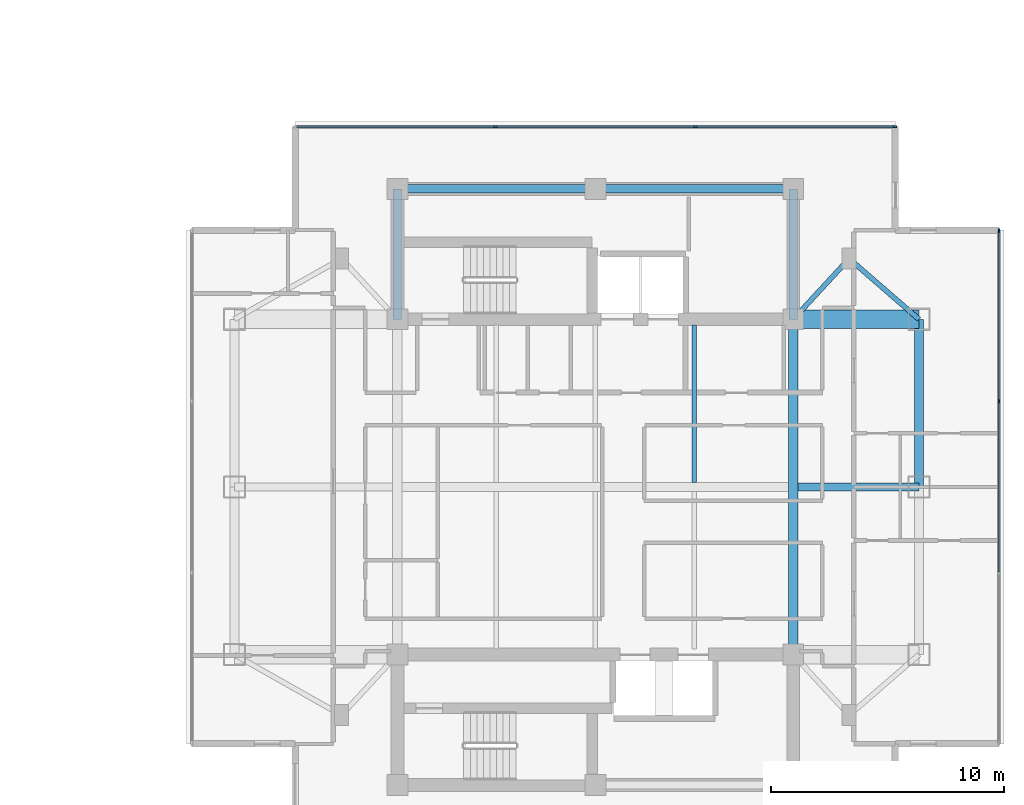
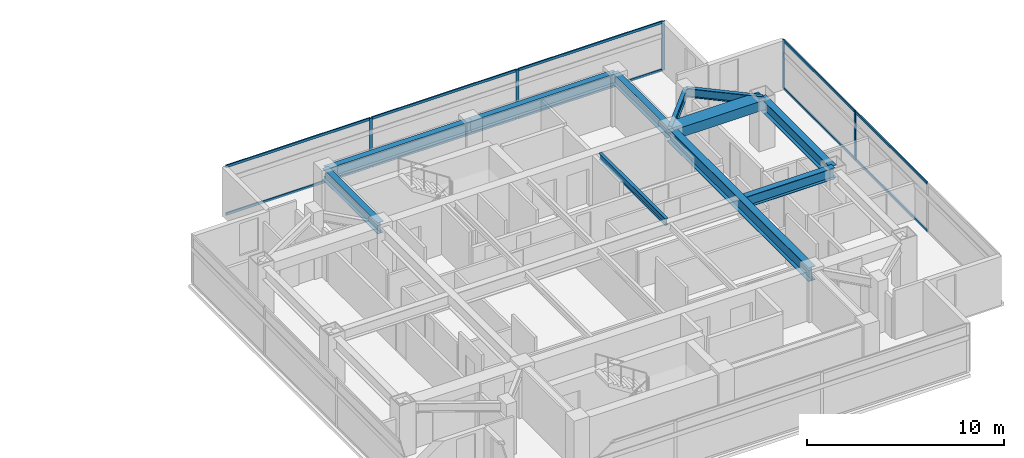
# One storey, part 10 of 24: 15 members, 11 beams, 2 elements without a shape of their own.
"""IFC4 building model written with IfcOpenShell, lengths in metres."""

from ifc_helpers import new_model, si_unit, direction, frame, origin, origin_2d, place, context, subcontext, project, spatial, rectangle, i_section, extrude, material, material_profile, profile_set, type_object, element, aggregate, save


model = new_model("IFC4")

# Units and contexts
model_context = context("Model", 3, precision=1e-05, world=origin(), true_north=direction((0.0, 1.0)))
body_context = subcontext(model_context, "Body", "Model", "MODEL_VIEW")
ifc_project = project(units=[si_unit("LENGTHUNIT", "METRE"), si_unit("AREAUNIT", "SQUARE_METRE"), si_unit("VOLUMEUNIT", "CUBIC_METRE"), si_unit("PLANEANGLEUNIT", "RADIAN"), si_unit("MASSUNIT", "GRAM", prefix="KILO")], contexts=[model_context])

# Site, building, storey
site_placement = place(None, origin())
site = spatial("IfcSite", under=ifc_project, at=site_placement, CompositionType="ELEMENT")
building_placement = place(site_placement, origin())
building = spatial("IfcBuilding", under=site, at=building_placement, Name="Mirazonda Arch Towers", CompositionType="ELEMENT")
storey_placement = place(building_placement, frame((0.0, 0.0, 196.64990234375)))
storey = spatial("IfcBuildingStorey", under=building, at=storey_placement, Name="L56", CompositionType="ELEMENT", Elevation=196.64990234375)

# Beams
ifc_material_1 = material(Name="Steel ASTM A992 Grade 50", Category="steel")
ifc_material_profile_1 = material_profile(ifc_material_1, i_section(OverallWidth=0.381103515625, OverallDepth=0.77294921875, WebThickness=0.0166015625, FlangeThickness=0.027099609375, at=origin_2d()), Name="W30X173")
ifc_profile_set_1 = profile_set([ifc_material_profile_1], Name="Steel ASTM A992 Grade 50")
beam_type_1 = type_object("IfcBeamType", Name="BM-EXT-W30X173", PredefinedType="USERDEFINED", material=ifc_profile_set_1)
beam_1_placement = place(storey_placement, frame((90.39990234375, 28.0, 2.66357421875), z_axis=(0.0, 1.0, 0.0), x_axis=(-1.0, 0.0, 0.0)))
element("IfcBeam", 1, at=beam_1_placement, inside=storey, type_object=beam_type_1, Name="L56 Floor Beam BM-T2-L56-NS-E-28", ObjectType="GIRDER", PredefinedType="USERDEFINED", context=body_context, shape_type="SweptSolid", body=[
    extrude(i_section(OverallWidth=0.381103515625, OverallDepth=0.77294921875, WebThickness=0.0166015625, FlangeThickness=0.027099609375, at=origin_2d()), origin(), (0.0, 0.0, 1.0), 7.199951171875),
])
ifc_material_profile_2 = material_profile(ifc_material_1, i_section(OverallWidth=0.180908203125, OverallDepth=0.4169921875, WebThickness=0.010986328125, FlangeThickness=0.018310546875, at=origin_2d()), Name="W16X57")
ifc_profile_set_2 = profile_set([ifc_material_profile_2], Name="Steel ASTM A992 Grade 50")
beam_type_2 = type_object("IfcBeamType", Name="BM-INT-W16X57", PredefinedType="JOIST", material=ifc_profile_set_2)
beam_2_placement = place(storey_placement, frame((80.75, 28.196044921875, 2.841552734375), z_axis=(0.0, 1.0, 0.0), x_axis=(-1.0, 0.0, 0.0)))
element("IfcBeam", 2, at=beam_2_placement, inside=storey, type_object=beam_type_2, Name="L56 Floor Beam BM-T2-L56-J-807-28", PredefinedType="JOIST", context=body_context, shape_type="SweptSolid", body=[
    extrude(i_section(OverallWidth=0.180908203125, OverallDepth=0.4169921875, WebThickness=0.010986328125, FlangeThickness=0.018310546875, at=origin_2d()), origin(), (0.0, 0.0, 1.0), 6.763916015625),
])
ifc_material_profile_3 = material_profile(ifc_material_1, i_section(OverallWidth=0.214111328125, OverallDepth=0.549072265625, WebThickness=0.0146484375, FlangeThickness=0.023681640625, at=origin_2d()), Name="W21X93")
ifc_profile_set_3 = profile_set([ifc_material_profile_3], Name="Steel ASTM A992 Grade 50")
beam_type_3 = type_object("IfcBeamType", Name="BM-INT-W21X93", PredefinedType="BEAM", material=ifc_profile_set_3)
beam_3_placement = place(storey_placement, frame((87.39990234375, 37.800048828125, 2.775634765625), z_axis=(-0.678251444854, -0.734829897019, 0.0), x_axis=(0.734829897019, -0.678251444854, 0.0)))
element("IfcBeam", 3, at=beam_3_placement, inside=storey, type_object=beam_type_3, Name="L56 Floor Beam BM-T2-L56-PL-NE1", PredefinedType="BEAM", context=body_context, shape_type="SweptSolid", body=[
    extrude(i_section(OverallWidth=0.214111328125, OverallDepth=0.549072265625, WebThickness=0.0146484375, FlangeThickness=0.023681640625, at=origin_2d()), origin(), (0.0, 0.0, 1.0), 3.538330078125),
])
beam_4_placement = place(storey_placement, frame((87.39990234375, 37.800048828125, 2.775634765625), z_axis=(0.755676908098, -0.654944585876, 0.0), x_axis=(0.654944585876, 0.755676908098, 0.0)))
element("IfcBeam", 4, at=beam_4_placement, inside=storey, type_object=beam_type_3, Name="L56 Floor Beam BM-T2-L56-PL-NE2", PredefinedType="BEAM", context=body_context, shape_type="SweptSolid", body=[
    extrude(i_section(OverallWidth=0.214111328125, OverallDepth=0.549072265625, WebThickness=0.0146484375, FlangeThickness=0.023681640625, at=origin_2d()), origin(), (0.0, 0.0, 1.0), 3.969970703125),
])
ifc_material_profile_4 = material_profile(ifc_material_1, i_section(OverallWidth=0.35498046875, OverallDepth=0.696044921875, WebThickness=0.015380859375, FlangeThickness=0.02490234375, at=origin_2d()), Name="W27X146")
ifc_profile_set_4 = profile_set([ifc_material_profile_4], Name="Steel ASTM A992 Grade 50")
beam_type_4 = type_object("IfcBeamType", Name="BM-INT-W27X146", PredefinedType="BEAM", material=ifc_profile_set_4)
for number, where, z_axis, x_axis, name in (
    (5, (68.0, 40.800048828125, 2.7021484375), (1.0, 0.0, 0.0), (0.0, 1.0, 0.0), "L56 Floor Beam BM-T2-L56-CN1"),
    (6, (76.5, 40.800048828125, 2.7021484375), (1.0, 0.0, 0.0), (0.0, 1.0, 0.0), "L56 Floor Beam BM-T2-L56-CN2"),
):
    element("IfcBeam", number, at=place(storey_placement, frame(where, z_axis=z_axis, x_axis=x_axis)), inside=storey, type_object=beam_type_4, Name=name, PredefinedType="BEAM", context=body_context, shape_type="SweptSolid", body=[
        extrude(i_section(OverallWidth=0.35498046875, OverallDepth=0.696044921875, WebThickness=0.015380859375, FlangeThickness=0.02490234375, at=origin_2d()), origin(), (0.0, 0.0, 1.0), 8.5),
    ])
for number, where, z_axis, x_axis, name in (
    (7, (68.0, 35.199951171875, 2.7021484375), (0.0, 1.0, 0.0), (-1.0, 0.0, 0.0), "L56 Floor Beam BM-T2-L56-CNW"),
    (8, (85.0, 35.199951171875, 2.7021484375), (0.0, 1.0, 0.0), (-1.0, 0.0, 0.0), "L56 Floor Beam BM-T2-L56-CNE"),
):
    element("IfcBeam", number, at=place(storey_placement, frame(where, z_axis=z_axis, x_axis=x_axis)), inside=storey, type_object=beam_type_4, Name=name, PredefinedType="BEAM", context=body_context, shape_type="SweptSolid", body=[
        extrude(i_section(OverallWidth=0.35498046875, OverallDepth=0.696044921875, WebThickness=0.015380859375, FlangeThickness=0.02490234375, at=origin_2d()), origin(), (0.0, 0.0, 1.0), 5.60009765625),
    ])
beam_5_placement = place(storey_placement, frame((85.199951171875, 28.0, 2.7021484375), z_axis=(1.0, 0.0, 0.0), x_axis=(0.0, 1.0, 0.0)))
element("IfcBeam", 9, at=beam_5_placement, inside=storey, type_object=beam_type_4, Name="L56 Floor Beam BM-T2-L56-GE2", PredefinedType="BEAM", context=body_context, shape_type="SweptSolid", body=[
    extrude(i_section(OverallWidth=0.35498046875, OverallDepth=0.696044921875, WebThickness=0.015380859375, FlangeThickness=0.02490234375, at=origin_2d()), origin(), (0.0, 0.0, 1.0), 5.199951171875),
])
ifc_material_profile_5 = material_profile(ifc_material_1, i_section(OverallWidth=0.39990234375, OverallDepth=0.85595703125, WebThickness=0.018310546875, FlangeThickness=0.029296875, at=origin_2d()), Name="W33X201")
ifc_profile_set_5 = profile_set([ifc_material_profile_5], Name="Steel ASTM A992 Grade 50")
beam_type_5 = type_object("IfcBeamType", Name="BM-INT-W33X201", PredefinedType="USERDEFINED", material=ifc_profile_set_5)
beam_6_placement = place(storey_placement, frame((85.0, 20.800048828125, 2.6220703125), z_axis=(0.0, 1.0, 0.0), x_axis=(-1.0, 0.0, 0.0)))
element("IfcBeam", 10, at=beam_6_placement, inside=storey, type_object=beam_type_5, Name="L56 Floor Beam BM-T2-L56-NS-CE-FULL", ObjectType="GIRDER", PredefinedType="USERDEFINED", context=body_context, shape_type="SweptSolid", body=[
    extrude(i_section(OverallWidth=0.39990234375, OverallDepth=0.85595703125, WebThickness=0.018310546875, FlangeThickness=0.029296875, at=origin_2d()), origin(), (0.0, 0.0, 1.0), 14.39990234375),
])
ifc_material_2 = material(Name="Concrete C60/75", Category="concrete")
ifc_material_profile_6 = material_profile(ifc_material_2, rectangle(XDim=0.800048828125, YDim=0.60009765625, at=origin_2d()), Name="RCCB800x600")
ifc_profile_set_6 = profile_set([ifc_material_profile_6], Name="Concrete C60/75")
beam_type_6 = type_object("IfcBeamType", Name="CB-INT-RCCB800x600", PredefinedType="SPANDREL", material=ifc_profile_set_6)
beam_7_placement = place(storey_placement, frame((85.0, 35.199951171875, 2.75), z_axis=(1.0, 0.0, 0.0), x_axis=(0.0, 1.0, 0.0)))
element("IfcBeam", 11, at=beam_7_placement, inside=storey, type_object=beam_type_6, Name="L56 Floor Beam CBC-T2-L56-NE", PredefinedType="SPANDREL", context=body_context, shape_type="SweptSolid", body=[
    extrude(rectangle(XDim=0.800048828125, YDim=0.60009765625, at=origin_2d()), origin(), (0.0, 0.0, 1.0), 5.39990234375),
])

# Curtain wall, members
ifc_material_3 = material(Name="Anodised Aluminium and Low-E Glass", Category="aluminium")
curtain_wall_type = type_object("IfcCurtainWallType", Name="CW-RES-UNIT", PredefinedType="NOTDEFINED", material=ifc_material_3)
curtain_wall_1_placement = place(storey_placement, origin())
curtain_wall_1 = element("IfcCurtainWall", 12, at=curtain_wall_1_placement, inside=storey, type_object=curtain_wall_type, Name="L56 T2 E Facade CW-L56-T2-E", PredefinedType="NOTDEFINED")
ifc_material_4 = material(Name="Anodised Aluminium Alloy", Category="aluminium")
ifc_material_profile_7 = material_profile(ifc_material_4, rectangle(XDim=0.074951171875, YDim=0.175048828125, at=origin_2d()), Name="ALU-MULL-75x175")
ifc_profile_set_7 = profile_set([ifc_material_profile_7], Name="Anodised Aluminium Alloy")
member_type_1 = type_object("IfcMemberType", Name="MULL-CW-RES-UNIT", PredefinedType="MULLION", material=ifc_profile_set_7)
member_1_placement = place(storey_placement, frame((93.82958984375, 31.67724609375, 0.0), z_axis=(0.0, 0.0, 1.0), x_axis=(-1.0, 0.0, 0.0)))
member_1 = element("IfcMember", 13, at=member_1_placement, type_object=member_type_1, Name="CW-104 mullion 3", PredefinedType="MULLION", context=body_context, shape_type="SweptSolid", body=[
    extrude(rectangle(XDim=0.074951171875, YDim=0.175048828125, at=origin_2d()), origin(), (0.0, 0.0, 1.0), 3.030029296875),
])
member_2_placement = place(storey_placement, frame((93.82958984375, 38.994384765625, 0.0), z_axis=(0.0, 0.0, 1.0), x_axis=(-1.0, 0.0, 0.0)))
member_2 = element("IfcMember", 14, at=member_2_placement, type_object=member_type_1, Name="CW-104 mullion 4", PredefinedType="MULLION", context=body_context, shape_type="SweptSolid", body=[
    extrude(rectangle(XDim=0.074951171875, YDim=0.175048828125, at=origin_2d()), origin(), (0.0, 0.0, 1.0), 3.030029296875),
])

curtain_wall_2_placement = place(storey_placement, origin())
curtain_wall_2 = element("IfcCurtainWall", 15, at=curtain_wall_2_placement, inside=storey, type_object=curtain_wall_type, Name="L56 T2 N Facade CW-L56-T2-N", PredefinedType="NOTDEFINED")
member_3_placement = place(storey_placement, frame((72.203369140625, 43.4716796875, 0.0), z_axis=(0.0, 0.0, 1.0), x_axis=(0.0, 1.0, 0.0)))
member_3 = element("IfcMember", 16, at=member_3_placement, type_object=member_type_1, Name="CW-104 mullion 2", PredefinedType="MULLION", context=body_context, shape_type="SweptSolid", body=[
    extrude(rectangle(XDim=0.074951171875, YDim=0.175048828125, at=origin_2d()), origin(), (0.0, 0.0, 1.0), 3.030029296875),
])
member_4_placement = place(storey_placement, frame((80.796630859375, 43.4716796875, 0.0), z_axis=(0.0, 0.0, 1.0), x_axis=(0.0, 1.0, 0.0)))
member_4 = element("IfcMember", 17, at=member_4_placement, type_object=member_type_1, Name="CW-104 mullion 3", PredefinedType="MULLION", context=body_context, shape_type="SweptSolid", body=[
    extrude(rectangle(XDim=0.074951171875, YDim=0.175048828125, at=origin_2d()), origin(), (0.0, 0.0, 1.0), 3.030029296875),
])
member_5_placement = place(storey_placement, frame((89.352294921875, 43.4716796875, 0.0), z_axis=(0.0, 0.0, 1.0), x_axis=(0.0, 1.0, 0.0)))
member_5 = element("IfcMember", 18, at=member_5_placement, type_object=member_type_1, Name="CW-104 mullion 4", PredefinedType="MULLION", context=body_context, shape_type="SweptSolid", body=[
    extrude(rectangle(XDim=0.074951171875, YDim=0.175048828125, at=origin_2d()), origin(), (0.0, 0.0, 1.0), 3.030029296875),
])

# Member
ifc_material_profile_8 = material_profile(ifc_material_4, rectangle(XDim=0.074951171875, YDim=0.155029296875, at=origin_2d()), Name="ALU-TRAN-75x155")
ifc_profile_set_8 = profile_set([ifc_material_profile_8], Name="Anodised Aluminium Alloy")
member_type_2 = type_object("IfcMemberType", Name="TRAN-CW-RES-UNIT", PredefinedType="USERDEFINED", material=ifc_profile_set_8)
member_6_placement = place(storey_placement, frame((93.82958984375, 24.360107421875, 0.03759765625), z_axis=(0.0, 1.0, 0.0), x_axis=(-1.0, 0.0, 0.0)))
member_6 = element("IfcMember", 19, at=member_6_placement, type_object=member_type_2, Name="CW-104 transom 2.1", ObjectType="TRANSOM", PredefinedType="USERDEFINED", context=body_context, shape_type="SweptSolid", body=[
    extrude(rectangle(XDim=0.074951171875, YDim=0.155029296875, at=origin_2d()), origin(), (0.0, 0.0, 1.0), 7.27978515625),
])

member_7_placement = place(storey_placement, frame((93.82958984375, 24.360107421875, 2.99267578125), z_axis=(0.0, 1.0, 0.0), x_axis=(-1.0, 0.0, 0.0)))
member_7 = element("IfcMember", 20, at=member_7_placement, type_object=member_type_2, Name="CW-104 transom 2.2", ObjectType="TRANSOM", PredefinedType="USERDEFINED", context=body_context, shape_type="SweptSolid", body=[
    extrude(rectangle(XDim=0.074951171875, YDim=0.155029296875, at=origin_2d()), origin(), (0.0, 0.0, 1.0), 7.27978515625),
])

member_8_placement = place(storey_placement, frame((93.82958984375, 31.71484375, 0.03759765625), z_axis=(0.0, 1.0, 0.0), x_axis=(-1.0, 0.0, 0.0)))
member_8 = element("IfcMember", 21, at=member_8_placement, type_object=member_type_2, Name="CW-104 transom 3.1", ObjectType="TRANSOM", PredefinedType="USERDEFINED", context=body_context, shape_type="SweptSolid", body=[
    extrude(rectangle(XDim=0.074951171875, YDim=0.155029296875, at=origin_2d()), origin(), (0.0, 0.0, 1.0), 7.2421875),
])

member_9_placement = place(storey_placement, frame((93.82958984375, 31.71484375, 2.99267578125), z_axis=(0.0, 1.0, 0.0), x_axis=(-1.0, 0.0, 0.0)))
member_9 = element("IfcMember", 22, at=member_9_placement, type_object=member_type_2, Name="CW-104 transom 3.2", ObjectType="TRANSOM", PredefinedType="USERDEFINED", context=body_context, shape_type="SweptSolid", body=[
    extrude(rectangle(XDim=0.074951171875, YDim=0.155029296875, at=origin_2d()), origin(), (0.0, 0.0, 1.0), 7.2421875),
])

aggregate(curtain_wall_1, [member_1, member_2, member_6, member_7, member_8, member_9])

member_10_placement = place(storey_placement, frame((63.685302734375, 43.4716796875, 0.03759765625), z_axis=(1.0, 0.0, 0.0), x_axis=(0.0, 1.0, 0.0)))
member_10 = element("IfcMember", 23, at=member_10_placement, type_object=member_type_2, Name="CW-104 transom 1.1", ObjectType="TRANSOM", PredefinedType="USERDEFINED", context=body_context, shape_type="SweptSolid", body=[
    extrude(rectangle(XDim=0.074951171875, YDim=0.155029296875, at=origin_2d()), origin(), (0.0, 0.0, 1.0), 8.480712890625),
])

member_11_placement = place(storey_placement, frame((63.685302734375, 43.4716796875, 2.99267578125), z_axis=(1.0, 0.0, 0.0), x_axis=(0.0, 1.0, 0.0)))
member_11 = element("IfcMember", 24, at=member_11_placement, type_object=member_type_2, Name="CW-104 transom 1.2", ObjectType="TRANSOM", PredefinedType="USERDEFINED", context=body_context, shape_type="SweptSolid", body=[
    extrude(rectangle(XDim=0.074951171875, YDim=0.155029296875, at=origin_2d()), origin(), (0.0, 0.0, 1.0), 8.480712890625),
])

member_12_placement = place(storey_placement, frame((72.240966796875, 43.4716796875, 0.03759765625), z_axis=(1.0, 0.0, 0.0), x_axis=(0.0, 1.0, 0.0)))
member_12 = element("IfcMember", 25, at=member_12_placement, type_object=member_type_2, Name="CW-104 transom 2.1", ObjectType="TRANSOM", PredefinedType="USERDEFINED", context=body_context, shape_type="SweptSolid", body=[
    extrude(rectangle(XDim=0.074951171875, YDim=0.155029296875, at=origin_2d()), origin(), (0.0, 0.0, 1.0), 8.51806640625),
])

member_13_placement = place(storey_placement, frame((72.240966796875, 43.4716796875, 2.99267578125), z_axis=(1.0, 0.0, 0.0), x_axis=(0.0, 1.0, 0.0)))
member_13 = element("IfcMember", 26, at=member_13_placement, type_object=member_type_2, Name="CW-104 transom 2.2", ObjectType="TRANSOM", PredefinedType="USERDEFINED", context=body_context, shape_type="SweptSolid", body=[
    extrude(rectangle(XDim=0.074951171875, YDim=0.155029296875, at=origin_2d()), origin(), (0.0, 0.0, 1.0), 8.51806640625),
])

member_14_placement = place(storey_placement, frame((80.833984375, 43.4716796875, 0.03759765625), z_axis=(1.0, 0.0, 0.0), x_axis=(0.0, 1.0, 0.0)))
member_14 = element("IfcMember", 27, at=member_14_placement, type_object=member_type_2, Name="CW-104 transom 3.1", ObjectType="TRANSOM", PredefinedType="USERDEFINED", context=body_context, shape_type="SweptSolid", body=[
    extrude(rectangle(XDim=0.074951171875, YDim=0.155029296875, at=origin_2d()), origin(), (0.0, 0.0, 1.0), 8.480712890625),
])

member_15_placement = place(storey_placement, frame((80.833984375, 43.4716796875, 2.99267578125), z_axis=(1.0, 0.0, 0.0), x_axis=(0.0, 1.0, 0.0)))
member_15 = element("IfcMember", 28, at=member_15_placement, type_object=member_type_2, Name="CW-104 transom 3.2", ObjectType="TRANSOM", PredefinedType="USERDEFINED", context=body_context, shape_type="SweptSolid", body=[
    extrude(rectangle(XDim=0.074951171875, YDim=0.155029296875, at=origin_2d()), origin(), (0.0, 0.0, 1.0), 8.480712890625),
])

aggregate(curtain_wall_2, [member_3, member_4, member_5, member_10, member_11, member_12, member_13, member_14, member_15])

save(model, "model.ifc")
